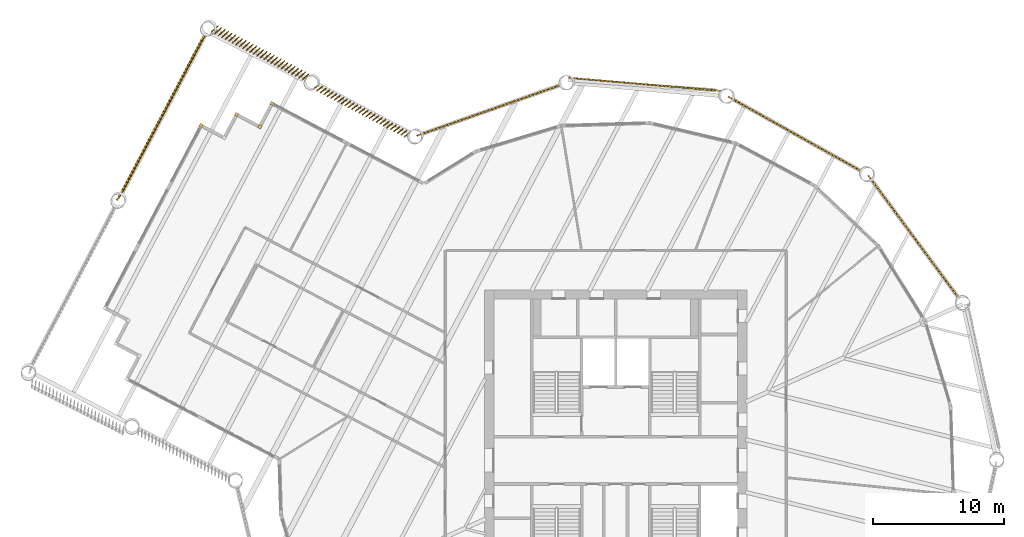
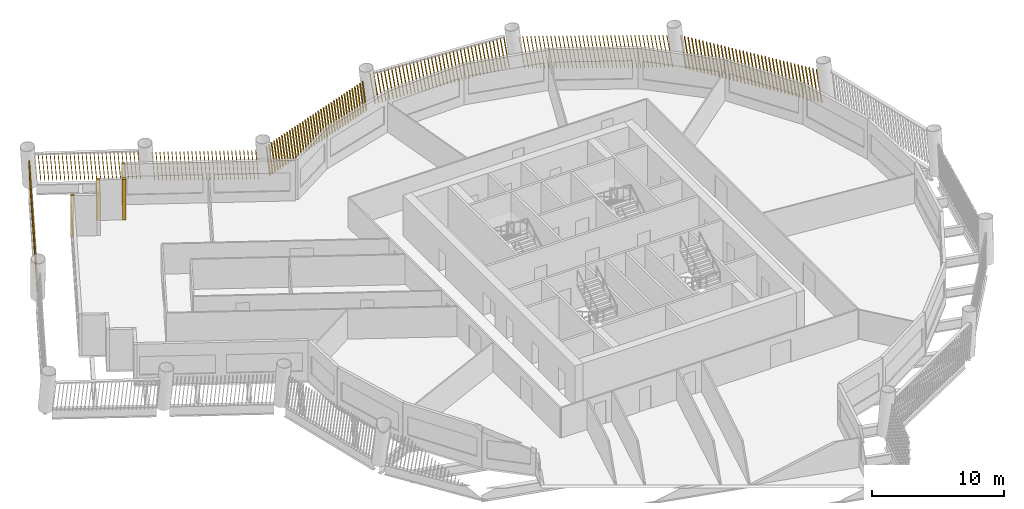
# One storey, part 14 of 15: 11 shading devices.
"""IFC4 building model written with IfcOpenShell, lengths in metres."""

from ifc_helpers import new_model, si_unit, direction, frame, frame_2d, origin, origin_2d, place, context, subcontext, project, spatial, rectangle, composite_profile, extrude, material, type_object, element, save


model = new_model("IFC4")

# Units and contexts
model_context = context("Model", 3, precision=1e-05, world=origin(), true_north=direction((0.0, 1.0)))
body_context = subcontext(model_context, "Body", "Model", "MODEL_VIEW")
ifc_project = project(units=[si_unit("LENGTHUNIT", "METRE"), si_unit("AREAUNIT", "SQUARE_METRE"), si_unit("VOLUMEUNIT", "CUBIC_METRE"), si_unit("PLANEANGLEUNIT", "RADIAN"), si_unit("MASSUNIT", "GRAM", prefix="KILO")], contexts=[model_context])

# Site, building, storey
site_placement = place(None, origin())
site = spatial("IfcSite", under=ifc_project, at=site_placement, CompositionType="ELEMENT")
building_placement = place(site_placement, origin())
building = spatial("IfcBuilding", under=site, at=building_placement, Name="Tarsis Ring Headquarters", CompositionType="ELEMENT")
storey_placement = place(building_placement, frame((0.0, 0.0, 167.10009765625)))
storey = spatial("IfcBuildingStorey", under=building, at=storey_placement, Name="L38", CompositionType="ELEMENT", Elevation=167.10009765625)

# Shading devices
ifc_material = material(Name="Terracotta baguette", Category="masonry")
shading_device_type_1 = type_object("IfcShadingDeviceType", Name="Terracotta baguette screen", PredefinedType="USERDEFINED", material=ifc_material)
shading_device_1_placement = place(storey_placement, frame((26.190673828125, 12.32861328125, 0.0), z_axis=(0.0, 0.0, 1.0), x_axis=(-0.593575691807, 0.804774823657, 0.0)))
element("IfcShadingDevice", 1, at=shading_device_1_placement, inside=storey, type_object=shading_device_type_1, Name="Baguette screen L38-11", ObjectType="Terracotta baguette screen", PredefinedType="USERDEFINED", context=body_context, shape_type="SweptSolid", body=[
    extrude(composite_profile([rectangle(XDim=0.06005859375, YDim=0.1201171875, at=frame_2d((0.030029296875, 0.0))), rectangle(XDim=0.06005859375, YDim=0.1201171875, at=frame_2d((0.33251953125, 0.0))), rectangle(XDim=0.06005859375, YDim=0.1201171875, at=frame_2d((0.634765625, 0.0))), rectangle(XDim=0.06005859375, YDim=0.1201171875, at=frame_2d((0.937255859375, 0.0))), rectangle(XDim=0.06005859375, YDim=0.1201171875, at=frame_2d((1.239501953125, 0.0))), rectangle(XDim=0.06005859375, YDim=0.1201171875, at=frame_2d((1.5419921875, 0.0))), rectangle(XDim=0.06005859375, YDim=0.1201171875, at=frame_2d((1.844482421875, 0.0))), rectangle(XDim=0.06005859375, YDim=0.1201171875, at=frame_2d((2.146728515625, 0.0))), rectangle(XDim=0.06005859375, YDim=0.1201171875, at=frame_2d((2.44921875, 0.0))), rectangle(XDim=0.06005859375, YDim=0.1201171875, at=frame_2d((2.751708984375, 0.0))), rectangle(XDim=0.06005859375, YDim=0.1201171875, at=frame_2d((3.053955078125, 0.0))), rectangle(XDim=0.06005859375, YDim=0.1201171875, at=frame_2d((3.3564453125, 0.0))), rectangle(XDim=0.06005859375, YDim=0.1201171875, at=frame_2d((3.65869140625, 0.0))), rectangle(XDim=0.06005859375, YDim=0.1201171875, at=frame_2d((3.961181640625, 0.0))), rectangle(XDim=0.06005859375, YDim=0.1201171875, at=frame_2d((4.263671875, 0.0))), rectangle(XDim=0.06005859375, YDim=0.1201171875, at=frame_2d((4.56591796875, 0.0))), rectangle(XDim=0.06005859375, YDim=0.1201171875, at=frame_2d((4.868408203125, 0.0))), rectangle(XDim=0.06005859375, YDim=0.1201171875, at=frame_2d((5.1708984375, 0.0))), rectangle(XDim=0.06005859375, YDim=0.1201171875, at=frame_2d((5.47314453125, 0.0))), rectangle(XDim=0.06005859375, YDim=0.1201171875, at=frame_2d((5.775634765625, 0.0))), rectangle(XDim=0.06005859375, YDim=0.1201171875, at=frame_2d((6.077880859375, 0.0))), rectangle(XDim=0.06005859375, YDim=0.1201171875, at=frame_2d((6.38037109375, 0.0))), rectangle(XDim=0.06005859375, YDim=0.1201171875, at=frame_2d((6.682861328125, 0.0))), rectangle(XDim=0.06005859375, YDim=0.1201171875, at=frame_2d((6.985107421875, 0.0))), rectangle(XDim=0.06005859375, YDim=0.1201171875, at=frame_2d((7.28759765625, 0.0))), rectangle(XDim=0.06005859375, YDim=0.1201171875, at=frame_2d((7.590087890625, 0.0))), rectangle(XDim=0.06005859375, YDim=0.1201171875, at=frame_2d((7.892333984375, 0.0))), rectangle(XDim=0.06005859375, YDim=0.1201171875, at=frame_2d((8.19482421875, 0.0))), rectangle(XDim=0.06005859375, YDim=0.1201171875, at=frame_2d((8.4970703125, 0.0))), rectangle(XDim=0.06005859375, YDim=0.1201171875, at=frame_2d((8.799560546875, 0.0))), rectangle(XDim=0.06005859375, YDim=0.1201171875, at=frame_2d((9.10205078125, 0.0))), rectangle(XDim=0.06005859375, YDim=0.1201171875, at=frame_2d((9.404296875, 0.0))), rectangle(XDim=0.06005859375, YDim=0.1201171875, at=frame_2d((9.706787109375, 0.0))), rectangle(XDim=0.06005859375, YDim=0.1201171875, at=frame_2d((10.00927734375, 0.0))), rectangle(XDim=0.06005859375, YDim=0.1201171875, at=frame_2d((10.3115234375, 0.0))), rectangle(XDim=0.06005859375, YDim=0.1201171875, at=frame_2d((10.614013671875, 0.0))), rectangle(XDim=0.06005859375, YDim=0.1201171875, at=frame_2d((10.916259765625, 0.0))), rectangle(XDim=0.06005859375, YDim=0.1201171875, at=frame_2d((11.21875, 0.0)))]), origin(), (0.149495486615, 0.001173995604, 0.988761711039), 2.9833984375),
])
shading_device_2_placement = place(storey_placement, frame((18.780517578125, 22.028076171875, 0.0), z_axis=(0.0, 0.0, 1.0), x_axis=(-0.8725339121, 0.488572978839, 0.0)))
element("IfcShadingDevice", 2, at=shading_device_2_placement, inside=storey, type_object=shading_device_type_1, Name="Baguette screen L38-12", ObjectType="Terracotta baguette screen", PredefinedType="USERDEFINED", context=body_context, shape_type="SweptSolid", body=[
    extrude(composite_profile([rectangle(XDim=0.06005859375, YDim=0.1201171875, at=frame_2d((0.030029296875, 0.0))), rectangle(XDim=0.06005859375, YDim=0.1201171875, at=frame_2d((0.33251953125, 0.0))), rectangle(XDim=0.06005859375, YDim=0.1201171875, at=frame_2d((0.634765625, 0.0))), rectangle(XDim=0.06005859375, YDim=0.1201171875, at=frame_2d((0.937255859375, 0.0))), rectangle(XDim=0.06005859375, YDim=0.1201171875, at=frame_2d((1.239501953125, 0.0))), rectangle(XDim=0.06005859375, YDim=0.1201171875, at=frame_2d((1.5419921875, 0.0))), rectangle(XDim=0.06005859375, YDim=0.1201171875, at=frame_2d((1.844482421875, 0.0))), rectangle(XDim=0.06005859375, YDim=0.1201171875, at=frame_2d((2.146728515625, 0.0))), rectangle(XDim=0.06005859375, YDim=0.1201171875, at=frame_2d((2.44921875, 0.0))), rectangle(XDim=0.06005859375, YDim=0.1201171875, at=frame_2d((2.751708984375, 0.0))), rectangle(XDim=0.06005859375, YDim=0.1201171875, at=frame_2d((3.053955078125, 0.0))), rectangle(XDim=0.06005859375, YDim=0.1201171875, at=frame_2d((3.3564453125, 0.0))), rectangle(XDim=0.06005859375, YDim=0.1201171875, at=frame_2d((3.65869140625, 0.0))), rectangle(XDim=0.06005859375, YDim=0.1201171875, at=frame_2d((3.961181640625, 0.0))), rectangle(XDim=0.06005859375, YDim=0.1201171875, at=frame_2d((4.263671875, 0.0))), rectangle(XDim=0.06005859375, YDim=0.1201171875, at=frame_2d((4.56591796875, 0.0))), rectangle(XDim=0.06005859375, YDim=0.1201171875, at=frame_2d((4.868408203125, 0.0))), rectangle(XDim=0.06005859375, YDim=0.1201171875, at=frame_2d((5.1708984375, 0.0))), rectangle(XDim=0.06005859375, YDim=0.1201171875, at=frame_2d((5.47314453125, 0.0))), rectangle(XDim=0.06005859375, YDim=0.1201171875, at=frame_2d((5.775634765625, 0.0))), rectangle(XDim=0.06005859375, YDim=0.1201171875, at=frame_2d((6.077880859375, 0.0))), rectangle(XDim=0.06005859375, YDim=0.1201171875, at=frame_2d((6.38037109375, 0.0))), rectangle(XDim=0.06005859375, YDim=0.1201171875, at=frame_2d((6.682861328125, 0.0))), rectangle(XDim=0.06005859375, YDim=0.1201171875, at=frame_2d((6.985107421875, 0.0))), rectangle(XDim=0.06005859375, YDim=0.1201171875, at=frame_2d((7.28759765625, 0.0))), rectangle(XDim=0.06005859375, YDim=0.1201171875, at=frame_2d((7.590087890625, 0.0))), rectangle(XDim=0.06005859375, YDim=0.1201171875, at=frame_2d((7.892333984375, 0.0))), rectangle(XDim=0.06005859375, YDim=0.1201171875, at=frame_2d((8.19482421875, 0.0))), rectangle(XDim=0.06005859375, YDim=0.1201171875, at=frame_2d((8.4970703125, 0.0))), rectangle(XDim=0.06005859375, YDim=0.1201171875, at=frame_2d((8.799560546875, 0.0))), rectangle(XDim=0.06005859375, YDim=0.1201171875, at=frame_2d((9.10205078125, 0.0))), rectangle(XDim=0.06005859375, YDim=0.1201171875, at=frame_2d((9.404296875, 0.0))), rectangle(XDim=0.06005859375, YDim=0.1201171875, at=frame_2d((9.706787109375, 0.0))), rectangle(XDim=0.06005859375, YDim=0.1201171875, at=frame_2d((10.00927734375, 0.0))), rectangle(XDim=0.06005859375, YDim=0.1201171875, at=frame_2d((10.3115234375, 0.0))), rectangle(XDim=0.06005859375, YDim=0.1201171875, at=frame_2d((10.614013671875, 0.0))), rectangle(XDim=0.06005859375, YDim=0.1201171875, at=frame_2d((10.916259765625, 0.0))), rectangle(XDim=0.06005859375, YDim=0.1201171875, at=frame_2d((11.21875, 0.0)))]), origin(), (0.149497361599, 0.001174904996, 0.988761426469), 2.9833984375),
])
shading_device_3_placement = place(storey_placement, frame((8.063232421875, 28.1845703125, 0.0), z_axis=(0.0, 0.0, 1.0), x_axis=(-0.996332146888, 0.085467488497, 0.0)))
element("IfcShadingDevice", 3, at=shading_device_3_placement, inside=storey, type_object=shading_device_type_1, Name="Baguette screen L38-13", ObjectType="Terracotta baguette screen", PredefinedType="USERDEFINED", context=body_context, shape_type="SweptSolid", body=[
    extrude(composite_profile([rectangle(XDim=0.06005859375, YDim=0.1201171875, at=frame_2d((0.030029296875, 0.0))), rectangle(XDim=0.06005859375, YDim=0.1201171875, at=frame_2d((0.33251953125, 0.0))), rectangle(XDim=0.06005859375, YDim=0.1201171875, at=frame_2d((0.634765625, 0.0))), rectangle(XDim=0.06005859375, YDim=0.1201171875, at=frame_2d((0.937255859375, 0.0))), rectangle(XDim=0.06005859375, YDim=0.1201171875, at=frame_2d((1.239501953125, 0.0))), rectangle(XDim=0.06005859375, YDim=0.1201171875, at=frame_2d((1.5419921875, 0.0))), rectangle(XDim=0.06005859375, YDim=0.1201171875, at=frame_2d((1.844482421875, 0.0))), rectangle(XDim=0.06005859375, YDim=0.1201171875, at=frame_2d((2.146728515625, 0.0))), rectangle(XDim=0.06005859375, YDim=0.1201171875, at=frame_2d((2.44921875, 0.0))), rectangle(XDim=0.06005859375, YDim=0.1201171875, at=frame_2d((2.751708984375, 0.0))), rectangle(XDim=0.06005859375, YDim=0.1201171875, at=frame_2d((3.053955078125, 0.0))), rectangle(XDim=0.06005859375, YDim=0.1201171875, at=frame_2d((3.3564453125, 0.0))), rectangle(XDim=0.06005859375, YDim=0.1201171875, at=frame_2d((3.65869140625, 0.0))), rectangle(XDim=0.06005859375, YDim=0.1201171875, at=frame_2d((3.961181640625, 0.0))), rectangle(XDim=0.06005859375, YDim=0.1201171875, at=frame_2d((4.263671875, 0.0))), rectangle(XDim=0.06005859375, YDim=0.1201171875, at=frame_2d((4.56591796875, 0.0))), rectangle(XDim=0.06005859375, YDim=0.1201171875, at=frame_2d((4.868408203125, 0.0))), rectangle(XDim=0.06005859375, YDim=0.1201171875, at=frame_2d((5.1708984375, 0.0))), rectangle(XDim=0.06005859375, YDim=0.1201171875, at=frame_2d((5.47314453125, 0.0))), rectangle(XDim=0.06005859375, YDim=0.1201171875, at=frame_2d((5.775634765625, 0.0))), rectangle(XDim=0.06005859375, YDim=0.1201171875, at=frame_2d((6.077880859375, 0.0))), rectangle(XDim=0.06005859375, YDim=0.1201171875, at=frame_2d((6.38037109375, 0.0))), rectangle(XDim=0.06005859375, YDim=0.1201171875, at=frame_2d((6.682861328125, 0.0))), rectangle(XDim=0.06005859375, YDim=0.1201171875, at=frame_2d((6.985107421875, 0.0))), rectangle(XDim=0.06005859375, YDim=0.1201171875, at=frame_2d((7.28759765625, 0.0))), rectangle(XDim=0.06005859375, YDim=0.1201171875, at=frame_2d((7.590087890625, 0.0))), rectangle(XDim=0.06005859375, YDim=0.1201171875, at=frame_2d((7.892333984375, 0.0))), rectangle(XDim=0.06005859375, YDim=0.1201171875, at=frame_2d((8.19482421875, 0.0))), rectangle(XDim=0.06005859375, YDim=0.1201171875, at=frame_2d((8.4970703125, 0.0))), rectangle(XDim=0.06005859375, YDim=0.1201171875, at=frame_2d((8.799560546875, 0.0))), rectangle(XDim=0.06005859375, YDim=0.1201171875, at=frame_2d((9.10205078125, 0.0))), rectangle(XDim=0.06005859375, YDim=0.1201171875, at=frame_2d((9.404296875, 0.0))), rectangle(XDim=0.06005859375, YDim=0.1201171875, at=frame_2d((9.706787109375, 0.0))), rectangle(XDim=0.06005859375, YDim=0.1201171875, at=frame_2d((10.00927734375, 0.0))), rectangle(XDim=0.06005859375, YDim=0.1201171875, at=frame_2d((10.3115234375, 0.0))), rectangle(XDim=0.06005859375, YDim=0.1201171875, at=frame_2d((10.614013671875, 0.0))), rectangle(XDim=0.06005859375, YDim=0.1201171875, at=frame_2d((10.916259765625, 0.0))), rectangle(XDim=0.06005859375, YDim=0.1201171875, at=frame_2d((11.21875, 0.0)))]), origin(), (0.151424042673, 0.001187113082, 0.988468183637), 2.984375),
])
shading_device_4_placement = place(storey_placement, frame((-4.146240234375, 28.648681640625, 0.0), z_axis=(0.0, 0.0, 1.0), x_axis=(-0.94300596853, -0.332783505155, 0.0)))
element("IfcShadingDevice", 4, at=shading_device_4_placement, inside=storey, type_object=shading_device_type_1, Name="Baguette screen L38-14", ObjectType="Terracotta baguette screen", PredefinedType="USERDEFINED", context=body_context, shape_type="SweptSolid", body=[
    extrude(composite_profile([rectangle(XDim=0.06005859375, YDim=0.1201171875, at=frame_2d((0.030029296875, 0.0))), rectangle(XDim=0.06005859375, YDim=0.1201171875, at=frame_2d((0.33251953125, 0.0))), rectangle(XDim=0.06005859375, YDim=0.1201171875, at=frame_2d((0.634765625, 0.0))), rectangle(XDim=0.06005859375, YDim=0.1201171875, at=frame_2d((0.937255859375, 0.0))), rectangle(XDim=0.06005859375, YDim=0.1201171875, at=frame_2d((1.239501953125, 0.0))), rectangle(XDim=0.06005859375, YDim=0.1201171875, at=frame_2d((1.5419921875, 0.0))), rectangle(XDim=0.06005859375, YDim=0.1201171875, at=frame_2d((1.844482421875, 0.0))), rectangle(XDim=0.06005859375, YDim=0.1201171875, at=frame_2d((2.146728515625, 0.0))), rectangle(XDim=0.06005859375, YDim=0.1201171875, at=frame_2d((2.44921875, 0.0))), rectangle(XDim=0.06005859375, YDim=0.1201171875, at=frame_2d((2.751708984375, 0.0))), rectangle(XDim=0.06005859375, YDim=0.1201171875, at=frame_2d((3.053955078125, 0.0))), rectangle(XDim=0.06005859375, YDim=0.1201171875, at=frame_2d((3.3564453125, 0.0))), rectangle(XDim=0.06005859375, YDim=0.1201171875, at=frame_2d((3.65869140625, 0.0))), rectangle(XDim=0.06005859375, YDim=0.1201171875, at=frame_2d((3.961181640625, 0.0))), rectangle(XDim=0.06005859375, YDim=0.1201171875, at=frame_2d((4.263671875, 0.0))), rectangle(XDim=0.06005859375, YDim=0.1201171875, at=frame_2d((4.56591796875, 0.0))), rectangle(XDim=0.06005859375, YDim=0.1201171875, at=frame_2d((4.868408203125, 0.0))), rectangle(XDim=0.06005859375, YDim=0.1201171875, at=frame_2d((5.1708984375, 0.0))), rectangle(XDim=0.06005859375, YDim=0.1201171875, at=frame_2d((5.47314453125, 0.0))), rectangle(XDim=0.06005859375, YDim=0.1201171875, at=frame_2d((5.775634765625, 0.0))), rectangle(XDim=0.06005859375, YDim=0.1201171875, at=frame_2d((6.077880859375, 0.0))), rectangle(XDim=0.06005859375, YDim=0.1201171875, at=frame_2d((6.38037109375, 0.0))), rectangle(XDim=0.06005859375, YDim=0.1201171875, at=frame_2d((6.682861328125, 0.0))), rectangle(XDim=0.06005859375, YDim=0.1201171875, at=frame_2d((6.985107421875, 0.0))), rectangle(XDim=0.06005859375, YDim=0.1201171875, at=frame_2d((7.28759765625, 0.0))), rectangle(XDim=0.06005859375, YDim=0.1201171875, at=frame_2d((7.590087890625, 0.0))), rectangle(XDim=0.06005859375, YDim=0.1201171875, at=frame_2d((7.892333984375, 0.0))), rectangle(XDim=0.06005859375, YDim=0.1201171875, at=frame_2d((8.19482421875, 0.0))), rectangle(XDim=0.06005859375, YDim=0.1201171875, at=frame_2d((8.4970703125, 0.0))), rectangle(XDim=0.06005859375, YDim=0.1201171875, at=frame_2d((8.799560546875, 0.0))), rectangle(XDim=0.06005859375, YDim=0.1201171875, at=frame_2d((9.10205078125, 0.0))), rectangle(XDim=0.06005859375, YDim=0.1201171875, at=frame_2d((9.404296875, 0.0))), rectangle(XDim=0.06005859375, YDim=0.1201171875, at=frame_2d((9.706787109375, 0.0))), rectangle(XDim=0.06005859375, YDim=0.1201171875, at=frame_2d((10.00927734375, 0.0))), rectangle(XDim=0.06005859375, YDim=0.1201171875, at=frame_2d((10.3115234375, 0.0))), rectangle(XDim=0.06005859375, YDim=0.1201171875, at=frame_2d((10.614013671875, 0.0))), rectangle(XDim=0.06005859375, YDim=0.1201171875, at=frame_2d((10.916259765625, 0.0))), rectangle(XDim=0.06005859375, YDim=0.1201171875, at=frame_2d((11.21875, 0.0)))]), origin(), (0.149496193485, 0.001176853475, 0.988761600766), 2.9833984375),
])
shading_device_5_placement = place(storey_placement, frame((-15.667724609375, 24.9716796875, 0.0), z_axis=(0.0, 0.0, 1.0), x_axis=(-0.884913646615, 0.465783050638, 0.0)))
element("IfcShadingDevice", 5, at=shading_device_5_placement, inside=storey, type_object=shading_device_type_1, Name="Baguette screen L38-15", ObjectType="Terracotta baguette screen", PredefinedType="USERDEFINED", context=body_context, shape_type="SweptSolid", body=[
    extrude(composite_profile([rectangle(XDim=0.06005859375, YDim=0.1201171875, at=frame_2d((0.030029296875, 0.0))), rectangle(XDim=0.06005859375, YDim=0.1201171875, at=frame_2d((0.33154296875, 0.0))), rectangle(XDim=0.06005859375, YDim=0.1201171875, at=frame_2d((0.63330078125, 0.0))), rectangle(XDim=0.06005859375, YDim=0.1201171875, at=frame_2d((0.934814453125, 0.0))), rectangle(XDim=0.06005859375, YDim=0.1201171875, at=frame_2d((1.236572265625, 0.0))), rectangle(XDim=0.06005859375, YDim=0.1201171875, at=frame_2d((1.5380859375, 0.0))), rectangle(XDim=0.06005859375, YDim=0.1201171875, at=frame_2d((1.83984375, 0.0))), rectangle(XDim=0.06005859375, YDim=0.1201171875, at=frame_2d((2.141357421875, 0.0))), rectangle(XDim=0.06005859375, YDim=0.1201171875, at=frame_2d((2.443115234375, 0.0))), rectangle(XDim=0.06005859375, YDim=0.1201171875, at=frame_2d((2.74462890625, 0.0))), rectangle(XDim=0.06005859375, YDim=0.1201171875, at=frame_2d((3.04638671875, 0.0))), rectangle(XDim=0.06005859375, YDim=0.1201171875, at=frame_2d((3.347900390625, 0.0))), rectangle(XDim=0.06005859375, YDim=0.1201171875, at=frame_2d((3.649658203125, 0.0))), rectangle(XDim=0.06005859375, YDim=0.1201171875, at=frame_2d((3.951171875, 0.0))), rectangle(XDim=0.06005859375, YDim=0.1201171875, at=frame_2d((4.252685546875, 0.0))), rectangle(XDim=0.06005859375, YDim=0.1201171875, at=frame_2d((4.554443359375, 0.0))), rectangle(XDim=0.06005859375, YDim=0.1201171875, at=frame_2d((4.85595703125, 0.0))), rectangle(XDim=0.06005859375, YDim=0.1201171875, at=frame_2d((5.15771484375, 0.0))), rectangle(XDim=0.06005859375, YDim=0.1201171875, at=frame_2d((5.459228515625, 0.0))), rectangle(XDim=0.06005859375, YDim=0.1201171875, at=frame_2d((5.760986328125, 0.0))), rectangle(XDim=0.06005859375, YDim=0.1201171875, at=frame_2d((6.0625, 0.0))), rectangle(XDim=0.06005859375, YDim=0.1201171875, at=frame_2d((6.3642578125, 0.0))), rectangle(XDim=0.06005859375, YDim=0.1201171875, at=frame_2d((6.665771484375, 0.0))), rectangle(XDim=0.06005859375, YDim=0.1201171875, at=frame_2d((6.967529296875, 0.0))), rectangle(XDim=0.06005859375, YDim=0.1201171875, at=frame_2d((7.26904296875, 0.0))), rectangle(XDim=0.06005859375, YDim=0.1201171875, at=frame_2d((7.57080078125, 0.0))), rectangle(XDim=0.06005859375, YDim=0.1201171875, at=frame_2d((7.872314453125, 0.0)))]), origin(), (0.076404794482, 0.155044140757, 0.984948537639), 2.9951171875),
])
shading_device_6_placement = place(storey_placement, frame((-23.370849609375, 29.449951171875, 0.0), z_axis=(0.0, 0.0, 1.0), x_axis=(-0.884913646615, 0.465752154973, 0.0)))
element("IfcShadingDevice", 6, at=shading_device_6_placement, inside=storey, type_object=shading_device_type_1, Name="Baguette screen L38-16", ObjectType="Terracotta baguette screen", PredefinedType="USERDEFINED", context=body_context, shape_type="SweptSolid", body=[
    extrude(composite_profile([rectangle(XDim=0.06005859375, YDim=0.1201171875, at=frame_2d((0.030029296875, 0.0))), rectangle(XDim=0.06005859375, YDim=0.1201171875, at=frame_2d((0.33154296875, 0.0))), rectangle(XDim=0.06005859375, YDim=0.1201171875, at=frame_2d((0.63330078125, 0.0))), rectangle(XDim=0.06005859375, YDim=0.1201171875, at=frame_2d((0.934814453125, 0.0))), rectangle(XDim=0.06005859375, YDim=0.1201171875, at=frame_2d((1.236572265625, 0.0))), rectangle(XDim=0.06005859375, YDim=0.1201171875, at=frame_2d((1.5380859375, 0.0))), rectangle(XDim=0.06005859375, YDim=0.1201171875, at=frame_2d((1.83984375, 0.0))), rectangle(XDim=0.06005859375, YDim=0.1201171875, at=frame_2d((2.141357421875, 0.0))), rectangle(XDim=0.06005859375, YDim=0.1201171875, at=frame_2d((2.443115234375, 0.0))), rectangle(XDim=0.06005859375, YDim=0.1201171875, at=frame_2d((2.74462890625, 0.0))), rectangle(XDim=0.06005859375, YDim=0.1201171875, at=frame_2d((3.04638671875, 0.0))), rectangle(XDim=0.06005859375, YDim=0.1201171875, at=frame_2d((3.347900390625, 0.0))), rectangle(XDim=0.06005859375, YDim=0.1201171875, at=frame_2d((3.649658203125, 0.0))), rectangle(XDim=0.06005859375, YDim=0.1201171875, at=frame_2d((3.951171875, 0.0))), rectangle(XDim=0.06005859375, YDim=0.1201171875, at=frame_2d((4.252685546875, 0.0))), rectangle(XDim=0.06005859375, YDim=0.1201171875, at=frame_2d((4.554443359375, 0.0))), rectangle(XDim=0.06005859375, YDim=0.1201171875, at=frame_2d((4.85595703125, 0.0))), rectangle(XDim=0.06005859375, YDim=0.1201171875, at=frame_2d((5.15771484375, 0.0))), rectangle(XDim=0.06005859375, YDim=0.1201171875, at=frame_2d((5.459228515625, 0.0))), rectangle(XDim=0.06005859375, YDim=0.1201171875, at=frame_2d((5.760986328125, 0.0))), rectangle(XDim=0.06005859375, YDim=0.1201171875, at=frame_2d((6.0625, 0.0))), rectangle(XDim=0.06005859375, YDim=0.1201171875, at=frame_2d((6.3642578125, 0.0))), rectangle(XDim=0.06005859375, YDim=0.1201171875, at=frame_2d((6.665771484375, 0.0))), rectangle(XDim=0.06005859375, YDim=0.1201171875, at=frame_2d((6.967529296875, 0.0))), rectangle(XDim=0.06005859375, YDim=0.1201171875, at=frame_2d((7.26904296875, 0.0))), rectangle(XDim=0.06005859375, YDim=0.1201171875, at=frame_2d((7.57080078125, 0.0))), rectangle(XDim=0.06005859375, YDim=0.1201171875, at=frame_2d((7.872314453125, 0.0)))]), origin(), (0.077357415211, 0.200058009245, 0.976725459507), 3.020263671875),
])
shading_device_7_placement = place(storey_placement, frame((-31.21337890625, 32.589111328125, 0.0), z_axis=(0.0, 0.0, 1.0), x_axis=(-0.465776205219, -0.88490048651, 0.0)))
element("IfcShadingDevice", 7, at=shading_device_7_placement, inside=storey, type_object=shading_device_type_1, Name="Baguette screen L38-17", ObjectType="Terracotta baguette screen", PredefinedType="USERDEFINED", context=body_context, shape_type="SweptSolid", body=[
    extrude(composite_profile([rectangle(XDim=0.06005859375, YDim=0.1201171875, at=frame_2d((0.030029296875, 0.0))), rectangle(XDim=0.06005859375, YDim=0.1201171875, at=frame_2d((0.33544921875, 0.0))), rectangle(XDim=0.06005859375, YDim=0.1201171875, at=frame_2d((0.640625, 0.0))), rectangle(XDim=0.06005859375, YDim=0.1201171875, at=frame_2d((0.946044921875, 0.0))), rectangle(XDim=0.06005859375, YDim=0.1201171875, at=frame_2d((1.25146484375, 0.0))), rectangle(XDim=0.06005859375, YDim=0.1201171875, at=frame_2d((1.556640625, 0.0))), rectangle(XDim=0.06005859375, YDim=0.1201171875, at=frame_2d((1.862060546875, 0.0))), rectangle(XDim=0.06005859375, YDim=0.1201171875, at=frame_2d((2.16748046875, 0.0))), rectangle(XDim=0.06005859375, YDim=0.1201171875, at=frame_2d((2.47265625, 0.0))), rectangle(XDim=0.06005859375, YDim=0.1201171875, at=frame_2d((2.778076171875, 0.0))), rectangle(XDim=0.06005859375, YDim=0.1201171875, at=frame_2d((3.08349609375, 0.0))), rectangle(XDim=0.06005859375, YDim=0.1201171875, at=frame_2d((3.388671875, 0.0))), rectangle(XDim=0.06005859375, YDim=0.1201171875, at=frame_2d((3.694091796875, 0.0))), rectangle(XDim=0.06005859375, YDim=0.1201171875, at=frame_2d((3.99951171875, 0.0))), rectangle(XDim=0.06005859375, YDim=0.1201171875, at=frame_2d((4.3046875, 0.0))), rectangle(XDim=0.06005859375, YDim=0.1201171875, at=frame_2d((4.610107421875, 0.0))), rectangle(XDim=0.06005859375, YDim=0.1201171875, at=frame_2d((4.91552734375, 0.0))), rectangle(XDim=0.06005859375, YDim=0.1201171875, at=frame_2d((5.220703125, 0.0))), rectangle(XDim=0.06005859375, YDim=0.1201171875, at=frame_2d((5.526123046875, 0.0))), rectangle(XDim=0.06005859375, YDim=0.1201171875, at=frame_2d((5.83154296875, 0.0))), rectangle(XDim=0.06005859375, YDim=0.1201171875, at=frame_2d((6.13671875, 0.0))), rectangle(XDim=0.06005859375, YDim=0.1201171875, at=frame_2d((6.442138671875, 0.0))), rectangle(XDim=0.06005859375, YDim=0.1201171875, at=frame_2d((6.74755859375, 0.0))), rectangle(XDim=0.06005859375, YDim=0.1201171875, at=frame_2d((7.052734375, 0.0))), rectangle(XDim=0.06005859375, YDim=0.1201171875, at=frame_2d((7.358154296875, 0.0))), rectangle(XDim=0.06005859375, YDim=0.1201171875, at=frame_2d((7.66357421875, 0.0))), rectangle(XDim=0.06005859375, YDim=0.1201171875, at=frame_2d((7.96875, 0.0))), rectangle(XDim=0.06005859375, YDim=0.1201171875, at=frame_2d((8.274169921875, 0.0))), rectangle(XDim=0.06005859375, YDim=0.1201171875, at=frame_2d((8.57958984375, 0.0))), rectangle(XDim=0.06005859375, YDim=0.1201171875, at=frame_2d((8.884765625, 0.0))), rectangle(XDim=0.06005859375, YDim=0.1201171875, at=frame_2d((9.190185546875, 0.0))), rectangle(XDim=0.06005859375, YDim=0.1201171875, at=frame_2d((9.49560546875, 0.0))), rectangle(XDim=0.06005859375, YDim=0.1201171875, at=frame_2d((9.80078125, 0.0))), rectangle(XDim=0.06005859375, YDim=0.1201171875, at=frame_2d((10.106201171875, 0.0))), rectangle(XDim=0.06005859375, YDim=0.1201171875, at=frame_2d((10.41162109375, 0.0))), rectangle(XDim=0.06005859375, YDim=0.1201171875, at=frame_2d((10.716796875, 0.0))), rectangle(XDim=0.06005859375, YDim=0.1201171875, at=frame_2d((11.022216796875, 0.0))), rectangle(XDim=0.06005859375, YDim=0.1201171875, at=frame_2d((11.32763671875, 0.0))), rectangle(XDim=0.06005859375, YDim=0.1201171875, at=frame_2d((11.6328125, 0.0))), rectangle(XDim=0.06005859375, YDim=0.1201171875, at=frame_2d((11.938232421875, 0.0))), rectangle(XDim=0.06005859375, YDim=0.1201171875, at=frame_2d((12.24365234375, 0.0))), rectangle(XDim=0.06005859375, YDim=0.1201171875, at=frame_2d((12.548828125, 0.0))), rectangle(XDim=0.06005859375, YDim=0.1201171875, at=frame_2d((12.854248046875, 0.0))), rectangle(XDim=0.06005859375, YDim=0.1201171875, at=frame_2d((13.15966796875, 0.0))), rectangle(XDim=0.06005859375, YDim=0.1201171875, at=frame_2d((13.46484375, 0.0))), rectangle(XDim=0.06005859375, YDim=0.1201171875, at=frame_2d((13.770263671875, 0.0)))]), origin(), (0.222333502938, -0.036642664871, 0.974281852742), 3.02783203125),
])
shading_device_type_2 = type_object("IfcShadingDeviceType", Name="Terracotta corner baguette 250x250", PredefinedType="USERDEFINED", material=ifc_material)
for number, where, z_axis, x_axis, name in (
    (8, (-26.215087890625, 27.2177734375, 0.0), (0.0, 0.0, 1.0), (-0.884906342662, 0.465769003603, 0.0), "Corner baguette L38-32"),
    (9, (-27.146484375, 25.447998046875, 0.0), (0.0, 0.0, 1.0), (-0.465769327938, -0.884906171948, 0.0), "Corner baguette L38-33"),
    (10, (-28.916259765625, 26.37939453125, 0.0), (0.0, 0.0, 1.0), (-0.884906472729, 0.46576875649, 0.0), "Corner baguette L38-34"),
    (11, (-31.61767578125, 25.541259765625, 0.0), (0.0, 0.0, 1.0), (-0.884906171948, 0.465769327938, 0.0), "Corner baguette L38-36"),
):
    element("IfcShadingDevice", number, at=place(storey_placement, frame(where, z_axis=z_axis, x_axis=x_axis)), inside=storey, type_object=shading_device_type_2, Name=name, ObjectType="Terracotta corner baguette", PredefinedType="USERDEFINED", context=body_context, shape_type="SweptSolid", body=[
        extrude(rectangle(XDim=0.25, YDim=0.25, at=origin_2d()), origin(), (0.0, 0.0, 1.0), 3.739990234375),
    ])

save(model, "model.ifc")
